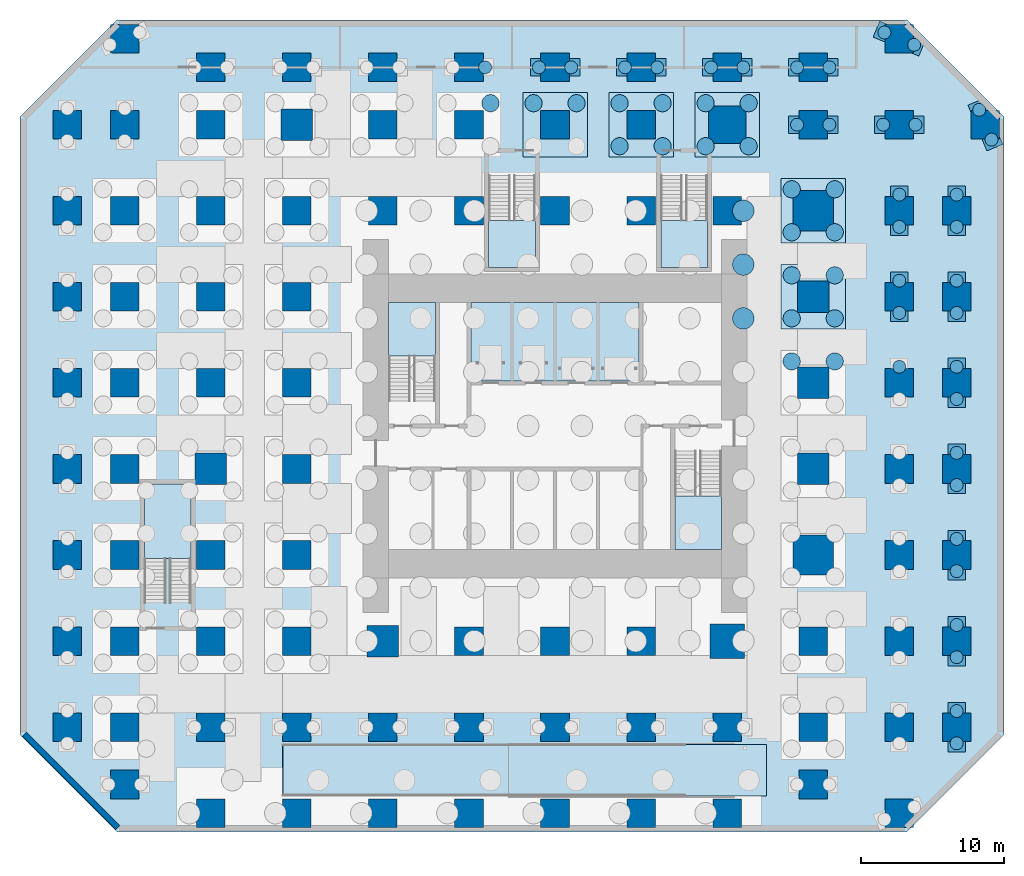
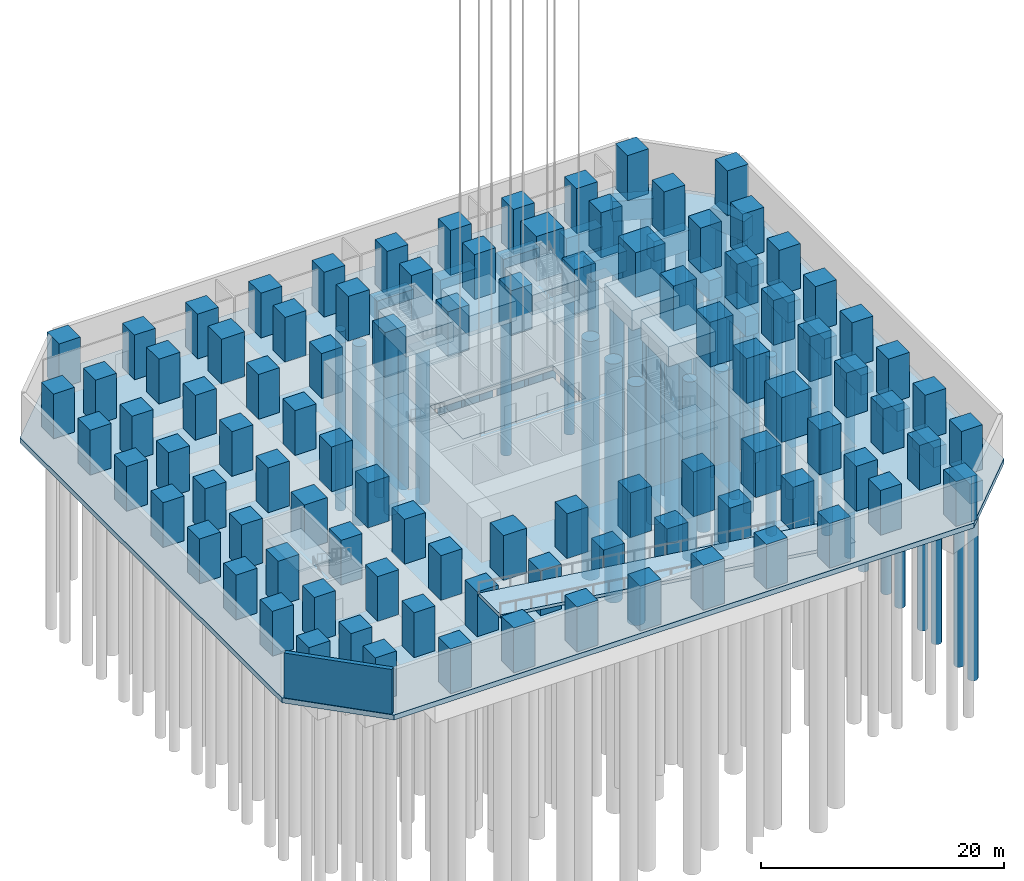
# One storey, part 2 of 11: 96 columns, 60 piles, 22 footings, 8 slabs, 1 wall, 5 elements without a shape of their own.
"""IFC4 building model written with IfcOpenShell, lengths in metres."""

from ifc_helpers import new_model, si_unit, direction, frame, frame_2d, origin, origin_2d, place, context, subcontext, project, spatial, polyline, rectangle, circle, outline, extrude, material, layer, layer_set, material_profile, profile_set, type_object, element, aggregate, save


model = new_model("IFC4")

# Units and contexts
model_context = context("Model", 3, precision=1e-05, world=origin(), true_north=direction((0.0, 1.0)))
body_context = subcontext(model_context, "Body", "Model", "MODEL_VIEW")
ifc_project = project(units=[si_unit("LENGTHUNIT", "METRE"), si_unit("AREAUNIT", "SQUARE_METRE"), si_unit("VOLUMEUNIT", "CUBIC_METRE"), si_unit("PLANEANGLEUNIT", "RADIAN"), si_unit("MASSUNIT", "GRAM", prefix="KILO")], contexts=[model_context])

# Site, building, storey
site_placement = place(None, origin())
site = spatial("IfcSite", under=ifc_project, at=site_placement, CompositionType="ELEMENT")
building_placement = place(site_placement, origin())
building = spatial("IfcBuilding", under=site, at=building_placement, Name="Highveld Stack Headquarters", CompositionType="ELEMENT")
storey_placement = place(building_placement, frame((0.0, 0.0, -9.0)))
storey = spatial("IfcBuildingStorey", under=building, at=storey_placement, Name="B2", CompositionType="ELEMENT", Elevation=-9.0)

# Piles
ifc_material_1 = material(Name="Concrete C40/50", Category="concrete")
pile_type_1 = type_object("IfcPileType", Name="BORED PILE D1200", PredefinedType="BORED", material=ifc_material_1)
for number, where, z_axis, x_axis, name in (
    (1, (1.5, 25.5, -2.5), (0.0, 0.0, -1.0), (1.0, 0.0, 0.0), "Bored pile PC1 6/J 4"),
    (2, (4.5, 25.5, -2.5), (0.0, 0.0, -1.0), (1.0, 0.0, 0.0), "Bored pile PC1 7/J 3"),
    (3, (7.5, 25.5, -2.5), (0.0, 0.0, -1.0), (1.0, 0.0, 0.0), "Bored pile PC1 7/J 4"),
    (4, (10.5, 22.5, -2.5), (0.0, 0.0, -1.0), (1.0, 0.0, 0.0), "Bored pile PC1 8/J 1"),
    (5, (13.5, 22.5, -2.5), (0.0, 0.0, -1.0), (1.0, 0.0, 0.0), "Bored pile PC1 8/J 2"),
    (6, (10.5, 25.5, -2.5), (0.0, 0.0, -1.0), (1.0, 0.0, 0.0), "Bored pile PC1 8/J 3"),
    (7, (13.5, 25.5, -2.5), (0.0, 0.0, -1.0), (1.0, 0.0, 0.0), "Bored pile PC1 8/J 4"),
    (8, (16.5, 22.5, -2.5), (0.0, 0.0, -1.0), (1.0, 0.0, 0.0), "Bored pile PC1 9/J 1"),
    (9, (19.5, 22.5, -2.5), (0.0, 0.0, -1.0), (1.0, 0.0, 0.0), "Bored pile PC1 9/J 2"),
    (10, (16.5, 25.5, -2.5), (0.0, 0.0, -1.0), (1.0, 0.0, 0.0), "Bored pile PC1 9/J 3"),
    (11, (19.5, 25.5, -2.5), (0.0, 0.0, -1.0), (1.0, 0.0, 0.0), "Bored pile PC1 9/J 4"),
    (12, (22.5, 7.5, -2.5), (0.0, 0.0, -1.0), (1.0, 0.0, 0.0), "Bored pile PC1 10/F 3"),
    (13, (25.5, 7.5, -2.5), (0.0, 0.0, -1.0), (1.0, 0.0, 0.0), "Bored pile PC1 10/F 4"),
    (14, (22.5, 10.5, -2.5), (0.0, 0.0, -1.0), (1.0, 0.0, 0.0), "Bored pile PC1 10/G 1"),
    (15, (25.5, 10.5, -2.5), (0.0, 0.0, -1.0), (1.0, 0.0, 0.0), "Bored pile PC1 10/G 2"),
    (16, (22.5, 13.5, -2.5), (0.0, 0.0, -1.0), (1.0, 0.0, 0.0), "Bored pile PC1 10/G 3"),
    (17, (25.5, 13.5, -2.5), (0.0, 0.0, -1.0), (1.0, 0.0, 0.0), "Bored pile PC1 10/G 4"),
    (18, (22.5, 16.5, -2.5), (0.0, 0.0, -1.0), (1.0, 0.0, 0.0), "Bored pile PC1 10/H 1"),
    (19, (25.5, 16.5, -2.5), (0.0, 0.0, -1.0), (1.0, 0.0, 0.0), "Bored pile PC1 10/H 2"),
    (20, (22.5, 19.5, -2.5), (0.0, 0.0, -1.0), (1.0, 0.0, 0.0), "Bored pile PC1 10/H 3"),
    (21, (25.5, 19.5, -2.5), (0.0, 0.0, -1.0), (1.0, 0.0, 0.0), "Bored pile PC1 10/H 4"),
):
    element("IfcPile", number, at=place(storey_placement, frame(where, z_axis=z_axis, x_axis=x_axis)), inside=storey, type_object=pile_type_1, Name=name, PredefinedType="BORED", context=body_context, shape_type="SweptSolid", body=[
        extrude(circle(Radius=0.60009765625, at=origin_2d()), origin(), (0.0, 0.0, 1.0), 18.0),
    ])
ifc_material_2 = material(Name="Concrete C50/60", Category="concrete")
pile_type_2 = type_object("IfcPileType", Name="BORED PILE D1500", PredefinedType="BORED", material=ifc_material_2)
for number, where, z_axis, x_axis, name in (
    (22, (19.125, 10.5, -3.5), (0.0, 0.0, -1.0), (1.0, 0.0, 0.0), "Bored pile CR1 70"),
    (23, (19.125, 14.25, -3.5), (0.0, 0.0, -1.0), (1.0, 0.0, 0.0), "Bored pile CR1 71"),
    (24, (19.125, 18.0, -3.5), (0.0, 0.0, -1.0), (1.0, 0.0, 0.0), "Bored pile CR1 72"),
):
    element("IfcPile", number, at=place(storey_placement, frame(where, z_axis=z_axis, x_axis=x_axis)), inside=storey, type_object=pile_type_2, Name=name, PredefinedType="BORED", context=body_context, shape_type="SweptSolid", body=[
        extrude(circle(Radius=0.75, at=origin_2d()), origin(), (0.0, 0.0, 1.0), 24.0),
    ])
ifc_material_3 = material(Name="Concrete C40/50", Category="concrete")
pile_type_3 = type_object("IfcPileType", Name="BORED PILE D900", PredefinedType="BORED", material=ifc_material_3)
for number, where, z_axis, x_axis, name in (
    (25, (1.125, 28.0, -2.5), (0.0, 0.0, -1.0), (1.0, 0.0, 0.0), "Bored pile PC2 6/28.0 2"),
    (26, (4.875, 28.0, -2.5), (0.0, 0.0, -1.0), (1.0, 0.0, 0.0), "Bored pile PC2 7/28.0 1"),
    (27, (7.125, 28.0, -2.5), (0.0, 0.0, -1.0), (1.0, 0.0, 0.0), "Bored pile PC2 7/28.0 2"),
    (28, (10.875, 28.0, -2.5), (0.0, 0.0, -1.0), (1.0, 0.0, 0.0), "Bored pile PC2 8/28.0 1"),
    (29, (13.125, 28.0, -2.5), (0.0, 0.0, -1.0), (1.0, 0.0, 0.0), "Bored pile PC2 8/28.0 2"),
    (30, (16.875, 28.0, -2.5), (0.0, 0.0, -1.0), (1.0, 0.0, 0.0), "Bored pile PC2 9/28.0 1"),
    (31, (19.125, 28.0, -2.5), (0.0, 0.0, -1.0), (1.0, 0.0, 0.0), "Bored pile PC2 9/28.0 2"),
    (32, (22.875, 24.0, -2.5), (0.0, 0.0, -1.0), (1.0, 0.0, 0.0), "Bored pile PC2 10/J 1"),
    (33, (25.125, 24.0, -2.5), (0.0, 0.0, -1.0), (1.0, 0.0, 0.0), "Bored pile PC2 10/J 2"),
    (34, (22.875, 28.0, -2.5), (0.0, 0.0, -1.0), (1.0, 0.0, 0.0), "Bored pile PC2 10/28.0 1"),
    (35, (25.125, 28.0, -2.5), (0.0, 0.0, -1.0), (1.0, 0.0, 0.0), "Bored pile PC2 10/28.0 2"),
    (36, (30.0, 7.125, -2.5), (0.0, 0.0, -1.0), (1.0, 0.0, 0.0), "Bored pile PC2 11/F 2"),
    (37, (30.0, 10.875, -2.5), (0.0, 0.0, -1.0), (1.0, 0.0, 0.0), "Bored pile PC2 11/G 1"),
    (38, (30.0, 13.125, -2.5), (0.0, 0.0, -1.0), (1.0, 0.0, 0.0), "Bored pile PC2 11/G 2"),
    (39, (30.0, 16.875, -2.5), (0.0, 0.0, -1.0), (1.0, 0.0, 0.0), "Bored pile PC2 11/H 1"),
    (40, (30.0, 19.125, -2.5), (0.0, 0.0, -1.0), (1.0, 0.0, 0.0), "Bored pile PC2 11/H 2"),
    (41, (28.875, 24.0, -2.5), (0.0, 0.0, -1.0), (1.0, 0.0, 0.0), "Bored pile PC2 11/J 1"),
    (42, (31.125, 24.0, -2.5), (0.0, 0.0, -1.0), (1.0, 0.0, 0.0), "Bored pile PC2 11/J 2"),
    (43, (31.039306640625, 29.569580078125, -2.5), (0.0, 0.0, -1.0), (1.0, 0.0, 0.0), "Bored pile PC2 11/K 1"),
    (44, (28.960693359375, 30.430419921875, -2.5), (0.0, 0.0, -1.0), (1.0, 0.0, 0.0), "Bored pile PC2 11/K 2"),
    (45, (34.0, -19.125, -2.5), (0.0, 0.0, -1.0), (1.0, 0.0, 0.0), "Bored pile PC2 34.0/B 1"),
    (46, (34.0, -16.875, -2.5), (0.0, 0.0, -1.0), (1.0, 0.0, 0.0), "Bored pile PC2 34.0/B 2"),
    (47, (34.0, -13.125, -2.5), (0.0, 0.0, -1.0), (1.0, 0.0, 0.0), "Bored pile PC2 34.0/C 1"),
    (48, (34.0, -10.875, -2.5), (0.0, 0.0, -1.0), (1.0, 0.0, 0.0), "Bored pile PC2 34.0/C 2"),
    (49, (34.0, -7.125, -2.5), (0.0, 0.0, -1.0), (1.0, 0.0, 0.0), "Bored pile PC2 34.0/D 1"),
    (50, (34.0, -4.875, -2.5), (0.0, 0.0, -1.0), (1.0, 0.0, 0.0), "Bored pile PC2 34.0/D 2"),
    (51, (34.0, -1.125, -2.5), (0.0, 0.0, -1.0), (1.0, 0.0, 0.0), "Bored pile PC2 34.0/E 1"),
    (52, (34.0, 1.125, -2.5), (0.0, 0.0, -1.0), (1.0, 0.0, 0.0), "Bored pile PC2 34.0/E 2"),
    (53, (34.0, 4.875, -2.5), (0.0, 0.0, -1.0), (1.0, 0.0, 0.0), "Bored pile PC2 34.0/F 1"),
    (54, (34.0, 7.125, -2.5), (0.0, 0.0, -1.0), (1.0, 0.0, 0.0), "Bored pile PC2 34.0/F 2"),
    (55, (34.0, 10.875, -2.5), (0.0, 0.0, -1.0), (1.0, 0.0, 0.0), "Bored pile PC2 34.0/G 1"),
    (56, (34.0, 13.125, -2.5), (0.0, 0.0, -1.0), (1.0, 0.0, 0.0), "Bored pile PC2 34.0/G 2"),
    (57, (34.0, 16.875, -2.5), (0.0, 0.0, -1.0), (1.0, 0.0, 0.0), "Bored pile PC2 34.0/H 1"),
    (58, (34.0, 19.125, -2.5), (0.0, 0.0, -1.0), (1.0, 0.0, 0.0), "Bored pile PC2 34.0/H 2"),
    (59, (36.430419921875, 22.960693359375, -2.5), (0.0, 0.0, -1.0), (1.0, 0.0, 0.0), "Bored pile PC2 12/J 1"),
    (60, (35.569580078125, 25.039306640625, -2.5), (0.0, 0.0, -1.0), (1.0, 0.0, 0.0), "Bored pile PC2 12/J 2"),
):
    element("IfcPile", number, at=place(storey_placement, frame(where, z_axis=z_axis, x_axis=x_axis)), inside=storey, type_object=pile_type_3, Name=name, PredefinedType="BORED", context=body_context, shape_type="SweptSolid", body=[
        extrude(circle(Radius=0.449951171875, at=origin_2d()), origin(), (0.0, 0.0, 1.0), 18.0),
    ])

# Footings
ifc_material_4 = material(Name="Concrete C40/50", Category="concrete")
footing_type_1 = type_object("IfcFootingType", Name="PILE CAP PC1 4.50x4.50", PredefinedType="PILE_CAP", material=ifc_material_4)
for number, where, z_axis, x_axis, name in (
    (61, (6.0, 24.0, -2.5), (0.0, 0.0, 1.0), (1.0, 0.0, 0.0), "Pile cap PC1 7/J"),
    (62, (12.0, 24.0, -2.5), (0.0, 0.0, 1.0), (1.0, 0.0, 0.0), "Pile cap PC1 8/J"),
    (63, (18.0, 24.0, -2.5), (0.0, 0.0, 1.0), (1.0, 0.0, 0.0), "Pile cap PC1 9/J"),
    (64, (24.0, 12.0, -2.5), (0.0, 0.0, 1.0), (1.0, 0.0, 0.0), "Pile cap PC1 10/G"),
    (65, (24.0, 18.0, -2.5), (0.0, 0.0, 1.0), (1.0, 0.0, 0.0), "Pile cap PC1 10/H"),
):
    element("IfcFooting", number, at=place(storey_placement, frame(where, z_axis=z_axis, x_axis=x_axis)), inside=storey, type_object=footing_type_1, Name=name, PredefinedType="PILE_CAP", context=body_context, shape_type="SweptSolid", body=[
        extrude(rectangle(XDim=4.5, YDim=4.5, at=origin_2d()), origin(), (0.0, 0.0, 1.0), 2.0),
    ])
ifc_material_5 = material(Name="Concrete C40/50", Category="concrete")
footing_type_2 = type_object("IfcFootingType", Name="PILE CAP PC2 3.45x1.20", PredefinedType="PILE_CAP", material=ifc_material_5)
for number, where, z_axis, x_axis, name in (
    (66, (6.0, 28.0, -2.5), (0.0, 0.0, 1.0), (1.0, 0.0, 0.0), "Pile cap PC2 7/28.0"),
    (67, (12.0, 28.0, -2.5), (0.0, 0.0, 1.0), (1.0, 0.0, 0.0), "Pile cap PC2 8/28.0"),
    (68, (18.0, 28.0, -2.5), (0.0, 0.0, 1.0), (1.0, 0.0, 0.0), "Pile cap PC2 9/28.0"),
    (69, (24.0, 24.0, -2.5), (0.0, 0.0, 1.0), (1.0, 0.0, 0.0), "Pile cap PC2 10/J"),
    (70, (24.0, 28.0, -2.5), (0.0, 0.0, 1.0), (1.0, 0.0, 0.0), "Pile cap PC2 10/28.0"),
    (71, (30.0, 12.0, -2.5), (0.0, 0.0, 1.0), (0.0, 1.0, 0.0), "Pile cap PC2 11/G"),
    (72, (30.0, 18.0, -2.5), (0.0, 0.0, 1.0), (0.0, 1.0, 0.0), "Pile cap PC2 11/H"),
    (73, (30.0, 24.0, -2.5), (0.0, 0.0, 1.0), (1.0, 0.0, 0.0), "Pile cap PC2 11/J"),
    (74, (30.0, 30.0, -2.5), (0.0, 0.0, 1.0), (-0.923879532511, 0.382683432365, 0.0), "Pile cap PC2 11/K"),
    (75, (34.0, -18.0, -2.5), (0.0, 0.0, 1.0), (0.0, 1.0, 0.0), "Pile cap PC2 34.0/B"),
    (76, (34.0, -12.0, -2.5), (0.0, 0.0, 1.0), (0.0, 1.0, 0.0), "Pile cap PC2 34.0/C"),
    (77, (34.0, -6.0, -2.5), (0.0, 0.0, 1.0), (0.0, 1.0, 0.0), "Pile cap PC2 34.0/D"),
    (78, (34.0, 0.0, -2.5), (0.0, 0.0, 1.0), (0.0, 1.0, 0.0), "Pile cap PC2 34.0/E"),
    (79, (34.0, 6.0, -2.5), (0.0, 0.0, 1.0), (0.0, 1.0, 0.0), "Pile cap PC2 34.0/F"),
    (80, (34.0, 12.0, -2.5), (0.0, 0.0, 1.0), (0.0, 1.0, 0.0), "Pile cap PC2 34.0/G"),
    (81, (34.0, 18.0, -2.5), (0.0, 0.0, 1.0), (0.0, 1.0, 0.0), "Pile cap PC2 34.0/H"),
    (82, (36.0, 24.0, -2.5), (0.0, 0.0, 1.0), (-0.382683432365, 0.923879532511, 0.0), "Pile cap PC2 12/J"),
):
    element("IfcFooting", number, at=place(storey_placement, frame(where, z_axis=z_axis, x_axis=x_axis)), inside=storey, type_object=footing_type_2, Name=name, PredefinedType="PILE_CAP", context=body_context, shape_type="SweptSolid", body=[
        extrude(rectangle(XDim=3.449951171875, YDim=1.199951171875, at=origin_2d()), origin(), (0.0, 0.0, 1.0), 2.0),
    ])

# Columns
ifc_material_6 = material(Name="Concrete C60/75", Category="concrete")
ifc_material_profile_1 = material_profile(ifc_material_6, rectangle(XDim=2.0, YDim=2.0, at=origin_2d()), Name="RC 2000x2000")
ifc_profile_set_1 = profile_set([ifc_material_profile_1], Name="Concrete C60/75")
column_type_1 = type_object("IfcColumnType", Name="COLUMN RC 2000x2000 C60/75", PredefinedType="COLUMN", material=ifc_profile_set_1)
for number, where, z_axis, x_axis, name in (
    (83, (-28.0, -18.0, 0.0), (0.0, 0.0, 1.0), (1.0, 0.0, 0.0), "Column -28.0/B B2"),
    (84, (-28.0, -12.0, 0.0), (0.0, 0.0, 1.0), (1.0, 0.0, 0.0), "Column -28.0/C B2"),
    (85, (-28.0, -6.0, 0.0), (0.0, 0.0, 1.0), (1.0, 0.0, 0.0), "Column -28.0/D B2"),
    (86, (-28.0, 0.0, 0.0), (0.0, 0.0, 1.0), (1.0, 0.0, 0.0), "Column -28.0/E B2"),
    (87, (-28.0, 6.0, 0.0), (0.0, 0.0, 1.0), (1.0, 0.0, 0.0), "Column -28.0/F B2"),
    (88, (-28.0, 12.0, 0.0), (0.0, 0.0, 1.0), (1.0, 0.0, 0.0), "Column -28.0/G B2"),
    (89, (-28.0, 18.0, 0.0), (0.0, 0.0, 1.0), (1.0, 0.0, 0.0), "Column -28.0/H B2"),
    (90, (-28.0, 24.0, 0.0), (0.0, 0.0, 1.0), (1.0, 0.0, 0.0), "Column -28.0/J B2"),
    (91, (-24.0, -22.0, 0.0), (0.0, 0.0, 1.0), (1.0, 0.0, 0.0), "Column 2/-22.0 B2"),
    (92, (-24.0, -18.0, 0.0), (0.0, 0.0, 1.0), (1.0, 0.0, 0.0), "Column 2/B B2"),
    (93, (-24.0, -12.0, 0.0), (0.0, 0.0, 1.0), (1.0, 0.0, 0.0), "Column 2/C B2"),
    (94, (-24.0, -6.0, 0.0), (0.0, 0.0, 1.0), (1.0, 0.0, 0.0), "Column 2/D B2"),
    (95, (-24.0, 0.0, 0.0), (0.0, 0.0, 1.0), (1.0, 0.0, 0.0), "Column 2/E B2"),
    (96, (-24.0, 6.0, 0.0), (0.0, 0.0, 1.0), (1.0, 0.0, 0.0), "Column 2/F B2"),
    (97, (-24.0, 12.0, 0.0), (0.0, 0.0, 1.0), (1.0, 0.0, 0.0), "Column 2/G B2"),
    (98, (-24.0, 18.0, 0.0), (0.0, 0.0, 1.0), (1.0, 0.0, 0.0), "Column 2/H B2"),
    (99, (-24.0, 24.0, 0.0), (0.0, 0.0, 1.0), (1.0, 0.0, 0.0), "Column 2/J B2"),
    (100, (-24.0, 30.0, 0.0), (0.0, 0.0, 1.0), (1.0, 0.0, 0.0), "Column 2/K B2"),
    (101, (-18.0, -24.0, 0.0), (0.0, 0.0, 1.0), (1.0, 0.0, 0.0), "Column 3/A B2"),
    (102, (-18.0, -18.0, 0.0), (0.0, 0.0, 1.0), (1.0, 0.0, 0.0), "Column 3/B B2"),
    (103, (-18.0, -12.0, 0.0), (0.0, 0.0, 1.0), (1.0, 0.0, 0.0), "Column 3/C B2"),
    (104, (-18.0, -6.0, 0.0), (0.0, 0.0, 1.0), (1.0, 0.0, 0.0), "Column 3/D B2"),
    (105, (-18.0, 6.0, 0.0), (0.0, 0.0, 1.0), (1.0, 0.0, 0.0), "Column 3/F B2"),
    (106, (-18.0, 12.0, 0.0), (0.0, 0.0, 1.0), (1.0, 0.0, 0.0), "Column 3/G B2"),
    (107, (-18.0, 18.0, 0.0), (0.0, 0.0, 1.0), (1.0, 0.0, 0.0), "Column 3/H B2"),
    (108, (-18.0, 24.0, 0.0), (0.0, 0.0, 1.0), (1.0, 0.0, 0.0), "Column 3/J B2"),
    (109, (-18.0, 28.0, 0.0), (0.0, 0.0, 1.0), (1.0, 0.0, 0.0), "Column 3/28.0 B2"),
    (110, (-12.0, -24.0, 0.0), (0.0, 0.0, 1.0), (1.0, 0.0, 0.0), "Column 4/A B2"),
    (111, (-12.0, -18.0, 0.0), (0.0, 0.0, 1.0), (1.0, 0.0, 0.0), "Column 4/B B2"),
    (112, (-12.0, -12.0, 0.0), (0.0, 0.0, 1.0), (1.0, 0.0, 0.0), "Column 4/C B2"),
    (113, (-12.0, -6.0, 0.0), (0.0, 0.0, 1.0), (1.0, 0.0, 0.0), "Column 4/D B2"),
    (114, (-12.0, 0.0, 0.0), (0.0, 0.0, 1.0), (1.0, 0.0, 0.0), "Column 4/E B2"),
    (115, (-12.0, 6.0, 0.0), (0.0, 0.0, 1.0), (1.0, 0.0, 0.0), "Column 4/F B2"),
    (116, (-12.0, 12.0, 0.0), (0.0, 0.0, 1.0), (1.0, 0.0, 0.0), "Column 4/G B2"),
    (117, (-12.0, 18.0, 0.0), (0.0, 0.0, 1.0), (1.0, 0.0, 0.0), "Column 4/H B2"),
    (118, (-12.0, 28.0, 0.0), (0.0, 0.0, 1.0), (1.0, 0.0, 0.0), "Column 4/28.0 B2"),
    (119, (-6.0, -24.0, 0.0), (0.0, 0.0, 1.0), (1.0, 0.0, 0.0), "Column 5/A B2"),
    (120, (-6.0, -18.0, 0.0), (0.0, 0.0, 1.0), (1.0, 0.0, 0.0), "Column 5/B B2"),
    (121, (-6.0, 18.0, 0.0), (0.0, 0.0, 1.0), (1.0, 0.0, 0.0), "Column 5/H B2"),
    (122, (-6.0, 24.0, 0.0), (0.0, 0.0, 1.0), (1.0, 0.0, 0.0), "Column 5/J B2"),
    (123, (-6.0, 28.0, 0.0), (0.0, 0.0, 1.0), (1.0, 0.0, 0.0), "Column 5/28.0 B2"),
    (124, (0.0, -24.0, 0.0), (0.0, 0.0, 1.0), (1.0, 0.0, 0.0), "Column 6/A B2"),
    (125, (0.0, -18.0, 0.0), (0.0, 0.0, 1.0), (1.0, 0.0, 0.0), "Column 6/B B2"),
    (126, (0.0, -12.0, 0.0), (0.0, 0.0, 1.0), (1.0, 0.0, 0.0), "Column 6/C B2"),
    (127, (0.0, 18.0, 0.0), (0.0, 0.0, 1.0), (1.0, 0.0, 0.0), "Column 6/H B2"),
    (128, (0.0, 24.0, 0.0), (0.0, 0.0, 1.0), (1.0, 0.0, 0.0), "Column 6/J B2"),
    (129, (0.0, 28.0, 0.0), (0.0, 0.0, 1.0), (1.0, 0.0, 0.0), "Column 6/28.0 B2"),
    (130, (6.0, -24.0, 0.0), (0.0, 0.0, 1.0), (1.0, 0.0, 0.0), "Column 7/A B2"),
    (131, (6.0, -18.0, 0.0), (0.0, 0.0, 1.0), (1.0, 0.0, 0.0), "Column 7/B B2"),
    (132, (6.0, -12.0, 0.0), (0.0, 0.0, 1.0), (1.0, 0.0, 0.0), "Column 7/C B2"),
    (133, (6.0, 18.0, 0.0), (0.0, 0.0, 1.0), (1.0, 0.0, 0.0), "Column 7/H B2"),
    (134, (6.0, 24.0, 0.0), (0.0, 0.0, 1.0), (1.0, 0.0, 0.0), "Column 7/J B2"),
    (135, (6.0, 28.0, 0.0), (0.0, 0.0, 1.0), (1.0, 0.0, 0.0), "Column 7/28.0 B2"),
    (136, (12.0, -24.0, 0.0), (0.0, 0.0, 1.0), (1.0, 0.0, 0.0), "Column 8/A B2"),
    (137, (12.0, -18.0, 0.0), (0.0, 0.0, 1.0), (1.0, 0.0, 0.0), "Column 8/B B2"),
    (138, (12.0, -12.0, 0.0), (0.0, 0.0, 1.0), (1.0, 0.0, 0.0), "Column 8/C B2"),
    (139, (12.0, 18.0, 0.0), (0.0, 0.0, 1.0), (1.0, 0.0, 0.0), "Column 8/H B2"),
    (140, (12.0, 24.0, 0.0), (0.0, 0.0, 1.0), (1.0, 0.0, 0.0), "Column 8/J B2"),
    (141, (12.0, 28.0, 0.0), (0.0, 0.0, 1.0), (1.0, 0.0, 0.0), "Column 8/28.0 B2"),
    (142, (18.0, -24.0, 0.0), (0.0, 0.0, 1.0), (1.0, 0.0, 0.0), "Column 9/A B2"),
    (143, (18.0, -18.0, 0.0), (0.0, 0.0, 1.0), (1.0, 0.0, 0.0), "Column 9/B B2"),
    (144, (18.0, 18.0, 0.0), (0.0, 0.0, 1.0), (1.0, 0.0, 0.0), "Column 9/H B2"),
    (145, (18.0, 28.0, 0.0), (0.0, 0.0, 1.0), (1.0, 0.0, 0.0), "Column 9/28.0 B2"),
    (146, (24.0, -22.0, 0.0), (0.0, 0.0, 1.0), (1.0, 0.0, 0.0), "Column 10/-22.0 B2"),
    (147, (24.0, -18.0, 0.0), (0.0, 0.0, 1.0), (1.0, 0.0, 0.0), "Column 10/B B2"),
    (148, (24.0, -12.0, 0.0), (0.0, 0.0, 1.0), (1.0, 0.0, 0.0), "Column 10/C B2"),
    (149, (24.0, 24.0, 0.0), (0.0, 0.0, 1.0), (1.0, 0.0, 0.0), "Column 10/J B2"),
    (150, (24.0, 28.0, 0.0), (0.0, 0.0, 1.0), (1.0, 0.0, 0.0), "Column 10/28.0 B2"),
    (151, (30.0, -24.0, 0.0), (0.0, 0.0, 1.0), (1.0, 0.0, 0.0), "Column 11/A B2"),
    (152, (30.0, -18.0, 0.0), (0.0, 0.0, 1.0), (1.0, 0.0, 0.0), "Column 11/B B2"),
    (153, (30.0, -12.0, 0.0), (0.0, 0.0, 1.0), (1.0, 0.0, 0.0), "Column 11/C B2"),
    (154, (30.0, -6.0, 0.0), (0.0, 0.0, 1.0), (1.0, 0.0, 0.0), "Column 11/D B2"),
    (155, (30.0, 0.0, 0.0), (0.0, 0.0, 1.0), (1.0, 0.0, 0.0), "Column 11/E B2"),
    (156, (30.0, 6.0, 0.0), (0.0, 0.0, 1.0), (1.0, 0.0, 0.0), "Column 11/F B2"),
    (157, (30.0, 12.0, 0.0), (0.0, 0.0, 1.0), (1.0, 0.0, 0.0), "Column 11/G B2"),
    (158, (30.0, 18.0, 0.0), (0.0, 0.0, 1.0), (1.0, 0.0, 0.0), "Column 11/H B2"),
    (159, (30.0, 24.0, 0.0), (0.0, 0.0, 1.0), (1.0, 0.0, 0.0), "Column 11/J B2"),
    (160, (30.0, 30.0, 0.0), (0.0, 0.0, 1.0), (1.0, 0.0, 0.0), "Column 11/K B2"),
    (161, (34.0, -18.0, 0.0), (0.0, 0.0, 1.0), (1.0, 0.0, 0.0), "Column 34.0/B B2"),
    (162, (34.0, -12.0, 0.0), (0.0, 0.0, 1.0), (1.0, 0.0, 0.0), "Column 34.0/C B2"),
    (163, (34.0, -6.0, 0.0), (0.0, 0.0, 1.0), (1.0, 0.0, 0.0), "Column 34.0/D B2"),
    (164, (34.0, 0.0, 0.0), (0.0, 0.0, 1.0), (1.0, 0.0, 0.0), "Column 34.0/E B2"),
    (165, (34.0, 6.0, 0.0), (0.0, 0.0, 1.0), (1.0, 0.0, 0.0), "Column 34.0/F B2"),
    (166, (34.0, 12.0, 0.0), (0.0, 0.0, 1.0), (1.0, 0.0, 0.0), "Column 34.0/G B2"),
    (167, (34.0, 18.0, 0.0), (0.0, 0.0, 1.0), (1.0, 0.0, 0.0), "Column 34.0/H B2"),
    (168, (36.0, 24.0, 0.0), (0.0, 0.0, 1.0), (1.0, 0.0, 0.0), "Column 12/J B2"),
):
    element("IfcColumn", number, at=place(storey_placement, frame(where, z_axis=z_axis, x_axis=x_axis)), inside=storey, type_object=column_type_1, Name=name, PredefinedType="COLUMN", context=body_context, shape_type="SweptSolid", body=[
        extrude(rectangle(XDim=2.0, YDim=2.0, at=origin_2d()), origin(), (0.0, 0.0, 1.0), 4.5),
    ])
ifc_material_7 = material(Name="Concrete C60/75", Category="concrete")
ifc_material_profile_2 = material_profile(ifc_material_7, rectangle(XDim=2.199951171875, YDim=2.199951171875, at=origin_2d()), Name="RC 2200x2200")
ifc_profile_set_2 = profile_set([ifc_material_profile_2], Name="Concrete C60/75")
column_type_2 = type_object("IfcColumnType", Name="COLUMN RC 2200x2200 C60/75", PredefinedType="COLUMN", material=ifc_profile_set_2)
for number, where, z_axis, x_axis, name in (
    (169, (-18.0, 0.0, 0.0), (0.0, 0.0, 1.0), (1.0, 0.0, 0.0), "Column 3/E B2"),
    (170, (-12.0, 24.0, 0.0), (0.0, 0.0, 1.0), (1.0, 0.0, 0.0), "Column 4/J B2"),
    (171, (-6.0, -12.0, 0.0), (0.0, 0.0, 1.0), (1.0, 0.0, 0.0), "Column 5/C B2"),
    (172, (24.0, 0.0, 0.0), (0.0, 0.0, 1.0), (1.0, 0.0, 0.0), "Column 10/E B2"),
    (173, (24.0, 6.0, 0.0), (0.0, 0.0, 1.0), (1.0, 0.0, 0.0), "Column 10/F B2"),
    (174, (24.0, 12.0, 0.0), (0.0, 0.0, 1.0), (1.0, 0.0, 0.0), "Column 10/G B2"),
):
    element("IfcColumn", number, at=place(storey_placement, frame(where, z_axis=z_axis, x_axis=x_axis)), inside=storey, type_object=column_type_2, Name=name, PredefinedType="COLUMN", context=body_context, shape_type="SweptSolid", body=[
        extrude(rectangle(XDim=2.199951171875, YDim=2.199951171875, at=origin_2d()), origin(), (0.0, 0.0, 1.0), 4.5),
    ])
ifc_material_8 = material(Name="Concrete C60/75", Category="concrete")
ifc_material_profile_3 = material_profile(ifc_material_8, rectangle(XDim=2.39990234375, YDim=2.39990234375, at=origin_2d()), Name="RC 2400x2400")
ifc_profile_set_3 = profile_set([ifc_material_profile_3], Name="Concrete C60/75")
column_type_3 = type_object("IfcColumnType", Name="COLUMN RC 2400x2400 C60/75", PredefinedType="COLUMN", material=ifc_profile_set_3)
column_1_placement = place(storey_placement, frame((18.0, -12.0, 0.0), z_axis=(0.0, 0.0, 1.0), x_axis=(1.0, 0.0, 0.0)))
element("IfcColumn", 175, at=column_1_placement, inside=storey, type_object=column_type_3, Name="Column 9/C B2", PredefinedType="COLUMN", context=body_context, shape_type="SweptSolid", body=[
    extrude(rectangle(XDim=2.39990234375, YDim=2.39990234375, at=origin_2d()), origin(), (0.0, 0.0, 1.0), 4.5),
])
ifc_material_9 = material(Name="Concrete C60/75", Category="concrete")
ifc_material_profile_4 = material_profile(ifc_material_9, rectangle(XDim=2.60009765625, YDim=2.60009765625, at=origin_2d()), Name="RC 2600x2600")
ifc_profile_set_4 = profile_set([ifc_material_profile_4], Name="Concrete C60/75")
column_type_4 = type_object("IfcColumnType", Name="COLUMN RC 2600x2600 C60/75", PredefinedType="COLUMN", material=ifc_profile_set_4)
column_2_placement = place(storey_placement, frame((18.0, 24.0, 0.0), z_axis=(0.0, 0.0, 1.0), x_axis=(1.0, 0.0, 0.0)))
element("IfcColumn", 176, at=column_2_placement, inside=storey, type_object=column_type_4, Name="Column 9/J B2", PredefinedType="COLUMN", context=body_context, shape_type="SweptSolid", body=[
    extrude(rectangle(XDim=2.60009765625, YDim=2.60009765625, at=origin_2d()), origin(), (0.0, 0.0, 1.0), 4.5),
])
ifc_material_10 = material(Name="Concrete C60/75", Category="concrete")
ifc_material_profile_5 = material_profile(ifc_material_10, rectangle(XDim=2.800048828125, YDim=2.800048828125, at=origin_2d()), Name="RC 2800x2800")
ifc_profile_set_5 = profile_set([ifc_material_profile_5], Name="Concrete C60/75")
column_type_5 = type_object("IfcColumnType", Name="COLUMN RC 2800x2800 C60/75", PredefinedType="COLUMN", material=ifc_profile_set_5)
for number, where, z_axis, x_axis, name in (
    (177, (24.0, -6.0, 0.0), (0.0, 0.0, 1.0), (1.0, 0.0, 0.0), "Column 10/D B2"),
    (178, (24.0, 18.0, 0.0), (0.0, 0.0, 1.0), (1.0, 0.0, 0.0), "Column 10/H B2"),
):
    element("IfcColumn", number, at=place(storey_placement, frame(where, z_axis=z_axis, x_axis=x_axis)), inside=storey, type_object=column_type_5, Name=name, PredefinedType="COLUMN", context=body_context, shape_type="SweptSolid", body=[
        extrude(rectangle(XDim=2.800048828125, YDim=2.800048828125, at=origin_2d()), origin(), (0.0, 0.0, 1.0), 4.5),
    ])

# Slabs
ifc_material_11 = material(Name="Concrete C60/75", Category="concrete")
ifc_layer_1 = layer(ifc_material_11, 0.5)
ifc_layer_set_1 = layer_set([ifc_layer_1], Name="Concrete C60/75")
slab_type_1 = type_object("IfcSlabType", Name="BASEMENT SLAB 500", PredefinedType="BASESLAB", material=ifc_layer_set_1)
slab_1_placement = place(storey_placement, frame((0.0, 0.0, -0.5)))
element("IfcSlab", 179, at=slab_1_placement, inside=storey, type_object=slab_type_1, Name="Floor slab B2", PredefinedType="BASESLAB", context=body_context, shape_type="SweptSolid", body=[
    extrude(outline(polyline([(-24.53857421875, -25.300048828125), (30.53857421875, -25.300048828125), (37.300048828125, -18.53857421875), (37.300048828125, 24.53857421875), (30.53857421875, 31.300048828125), (-24.53857421875, 31.300048828125), (-31.300048828125, 24.53857421875), (-31.300048828125, -18.53857421875), (-24.53857421875, -25.300048828125)]), holes=[polyline([(0.14990234375, 6.14990234375), (11.85009765625, 6.14990234375), (11.85009765625, 11.60009765625), (0.14990234375, 11.60009765625), (0.14990234375, 6.14990234375)]), polyline([(18.482666015625, -22.800048828125), (20.75, -22.800048828125), (20.75, -19.199951171875), (18.482666015625, -19.199951171875), (18.482666015625, -22.800048828125)])]), origin(), (0.0, 0.0, 1.0), 0.5),
])
ifc_material_12 = material(Name="Concrete C60/75", Category="concrete")
ifc_layer_2 = layer(ifc_material_12, 0.300048828125)
ifc_layer_set_2 = layer_set([ifc_layer_2], Name="Concrete C60/75")
slab_type_2 = type_object("IfcSlabType", Name="LIFT PIT SLAB 300", PredefinedType="BASESLAB", material=ifc_layer_set_2)
slab_2_placement = place(storey_placement, frame((0.0, 0.0, -1.5)))
element("IfcSlab", 180, at=slab_2_placement, inside=storey, type_object=slab_type_2, Name="Lift pit slab", PredefinedType="BASESLAB", context=body_context, shape_type="SweptSolid", body=[
    extrude(outline(polyline([(0.14990234375, 6.14990234375), (11.85009765625, 6.14990234375), (11.85009765625, 11.60009765625), (0.14990234375, 11.60009765625), (0.14990234375, 6.14990234375)])), origin(), (0.0, 0.0, 1.0), 0.300048828125),
])

# Stair, slab
ifc_material_13 = material(Name="Concrete C40/50, precast", Category="concrete")
stair_type_1 = type_object("IfcStairType", Name="STAIR S1 HALF TURN 1500", PredefinedType="HALF_TURN_STAIR", material=ifc_material_13)
stair_1_placement = place(storey_placement, origin())
stair_1 = element("IfcStair", 181, at=stair_1_placement, inside=storey, type_object=stair_type_1, Name="Stair S1 B2", PredefinedType="HALF_TURN_STAIR")
ifc_material_14 = material(Name="Concrete C40/50, precast", Category="concrete")
ifc_layer_3 = layer(ifc_material_14, 0.199951171875)
ifc_layer_set_3 = layer_set([ifc_layer_3], Name="Concrete C40/50, precast")
slab_type_3 = type_object("IfcSlabType", Name="STAIR LANDING 200", PredefinedType="LANDING", material=ifc_layer_set_3)
slab_3_placement = place(storey_placement, frame((0.0, 0.0, 2.050048828125)))
slab_3 = element("IfcSlab", 182, at=slab_3_placement, type_object=slab_type_3, Name="S1 landing 1", PredefinedType="LANDING", context=body_context, shape_type="SweptSolid", body=[
    extrude(outline(polyline([(-5.60009765625, 7.8701171875), (-2.35009765625, 7.8701171875), (-2.35009765625, 11.60009765625), (-5.60009765625, 11.60009765625), (-5.60009765625, 7.8701171875)])), origin(), (0.0, 0.0, 1.0), 0.199951171875),
])
aggregate(stair_1, [slab_3])

ifc_material_15 = material(Name="Concrete C40/50, precast", Category="concrete")
stair_type_2 = type_object("IfcStairType", Name="STAIR S2 HALF TURN 1500", PredefinedType="HALF_TURN_STAIR", material=ifc_material_15)
stair_2_placement = place(storey_placement, origin())
stair_2 = element("IfcStair", 183, at=stair_2_placement, inside=storey, type_object=stair_type_2, Name="Stair S2 B2", PredefinedType="HALF_TURN_STAIR")
slab_4_placement = place(storey_placement, frame((0.0, 0.0, 2.050048828125)))
slab_4 = element("IfcSlab", 184, at=slab_4_placement, type_object=slab_type_3, Name="S2 landing 1", PredefinedType="LANDING", context=body_context, shape_type="SweptSolid", body=[
    extrude(outline(polyline([(14.35009765625, -5.60009765625), (17.60009765625, -5.60009765625), (17.60009765625, -1.8701171875), (14.35009765625, -1.8701171875), (14.35009765625, -5.60009765625)])), origin(), (0.0, 0.0, 1.0), 0.199951171875),
])
aggregate(stair_2, [slab_4])

ifc_material_16 = material(Name="Concrete C40/50, precast", Category="concrete")
stair_type_3 = type_object("IfcStairType", Name="STAIR PS1 HALF TURN 1500", PredefinedType="HALF_TURN_STAIR", material=ifc_material_16)
stair_3_placement = place(storey_placement, origin())
stair_3 = element("IfcStair", 185, at=stair_3_placement, inside=storey, type_object=stair_type_3, Name="Stair PS1 B2", PredefinedType="HALF_TURN_STAIR")
slab_5_placement = place(storey_placement, frame((0.0, 0.0, 2.050048828125)))
slab_5 = element("IfcSlab", 186, at=slab_5_placement, type_object=slab_type_3, Name="PS1 landing 1", PredefinedType="LANDING", context=body_context, shape_type="SweptSolid", body=[
    extrude(outline(polyline([(-22.625, -6.22998046875), (-19.375, -6.22998046875), (-19.375, -1.050048828125), (-22.625, -1.050048828125), (-22.625, -6.22998046875)])), origin(), (0.0, 0.0, 1.0), 0.199951171875),
])
aggregate(stair_3, [slab_5])

ifc_material_17 = material(Name="Concrete C40/50, precast", Category="concrete")
stair_type_4 = type_object("IfcStairType", Name="STAIR PS2 HALF TURN 1500", PredefinedType="HALF_TURN_STAIR", material=ifc_material_17)
stair_4_placement = place(storey_placement, origin())
stair_4 = element("IfcStair", 187, at=stair_4_placement, inside=storey, type_object=stair_type_4, Name="Stair PS2 B2", PredefinedType="HALF_TURN_STAIR")
slab_6_placement = place(storey_placement, frame((0.0, 0.0, 2.050048828125)))
slab_6 = element("IfcSlab", 188, at=slab_6_placement, type_object=slab_type_3, Name="PS2 landing 1", PredefinedType="LANDING", context=body_context, shape_type="SweptSolid", body=[
    extrude(outline(polyline([(13.375, 14.050048828125), (16.625, 14.050048828125), (16.625, 17.330078125), (13.375, 17.330078125), (13.375, 14.050048828125)])), origin(), (0.0, 0.0, 1.0), 0.199951171875),
])
aggregate(stair_4, [slab_6])

ifc_material_18 = material(Name="Concrete C40/50, precast", Category="concrete")
stair_type_5 = type_object("IfcStairType", Name="STAIR PS3 HALF TURN 1500", PredefinedType="HALF_TURN_STAIR", material=ifc_material_18)
stair_5_placement = place(storey_placement, origin())
stair_5 = element("IfcStair", 189, at=stair_5_placement, inside=storey, type_object=stair_type_5, Name="Stair PS3 B2", PredefinedType="HALF_TURN_STAIR")
slab_7_placement = place(storey_placement, frame((0.0, 0.0, 2.050048828125)))
slab_7 = element("IfcSlab", 190, at=slab_7_placement, type_object=slab_type_3, Name="PS3 landing 1", PredefinedType="LANDING", context=body_context, shape_type="SweptSolid", body=[
    extrude(outline(polyline([(1.375, 14.050048828125), (4.625, 14.050048828125), (4.625, 17.330078125), (1.375, 17.330078125), (1.375, 14.050048828125)])), origin(), (0.0, 0.0, 1.0), 0.199951171875),
])
aggregate(stair_5, [slab_7])

# Slab
ifc_material_19 = material(Name="Concrete C60/75", Category="concrete")
ifc_layer_4 = layer(ifc_material_19, 0.300048828125)
ifc_layer_set_4 = layer_set([ifc_layer_4], Name="Concrete C60/75")
slab_type_4 = type_object("IfcSlabType", Name="VEHICLE RAMP SLAB 300", PredefinedType="FLOOR", material=ifc_layer_set_4)
slab_8_placement = place(storey_placement, frame((-12.9599609375, -22.800048828125, 4.5), z_axis=(0.132317951001, 0.0, 0.991207324349), x_axis=(0.991207324349, 0.0, -0.132317951001)))
element("IfcSlab", 191, at=slab_8_placement, inside=storey, type_object=slab_type_4, Name="Vehicle ramp R2 B1 to B2", PredefinedType="FLOOR", context=body_context, shape_type="SweptSolid", body=[
    extrude(outline(polyline([(0.0, 0.0), (34.00899096426967, 0.0), (34.00899096426967, 3.60009765625), (0.0, 3.60009765625), (0.0, 0.0)])), origin(), (0.0, 0.0, -1.0), 0.300048828125),
])

# Wall
ifc_material_20 = material(Name="Concrete C60/75", Category="concrete")
ifc_layer_5 = layer(ifc_material_20, 0.39990234375)
ifc_layer_set_5 = layer_set([ifc_layer_5], Name="Concrete C60/75")
wall_type = type_object("IfcWallType", Name="BASEMENT RETAINING WALL 400", PredefinedType="USERDEFINED", material=ifc_layer_set_5)
wall_placement = place(storey_placement, frame((-24.494873046875, -24.989990234375, 0.0), z_axis=(0.0, 0.0, 1.0), x_axis=(-0.707106781187, 0.707106781187, 0.0)))
element("IfcWall", 192, at=wall_placement, inside=storey, type_object=wall_type, Name="Basement retaining wall B2 1", ObjectType="RETAINING WALL", PredefinedType="USERDEFINED", context=body_context, shape_type="SweptSolid", body=[
    extrude(rectangle(XDim=9.185546875, YDim=0.39990234375, at=frame_2d((4.5927734375, 0.0))), origin(), (0.0, 0.0, 1.0), 4.5),
])

save(model, "model.ifc")
